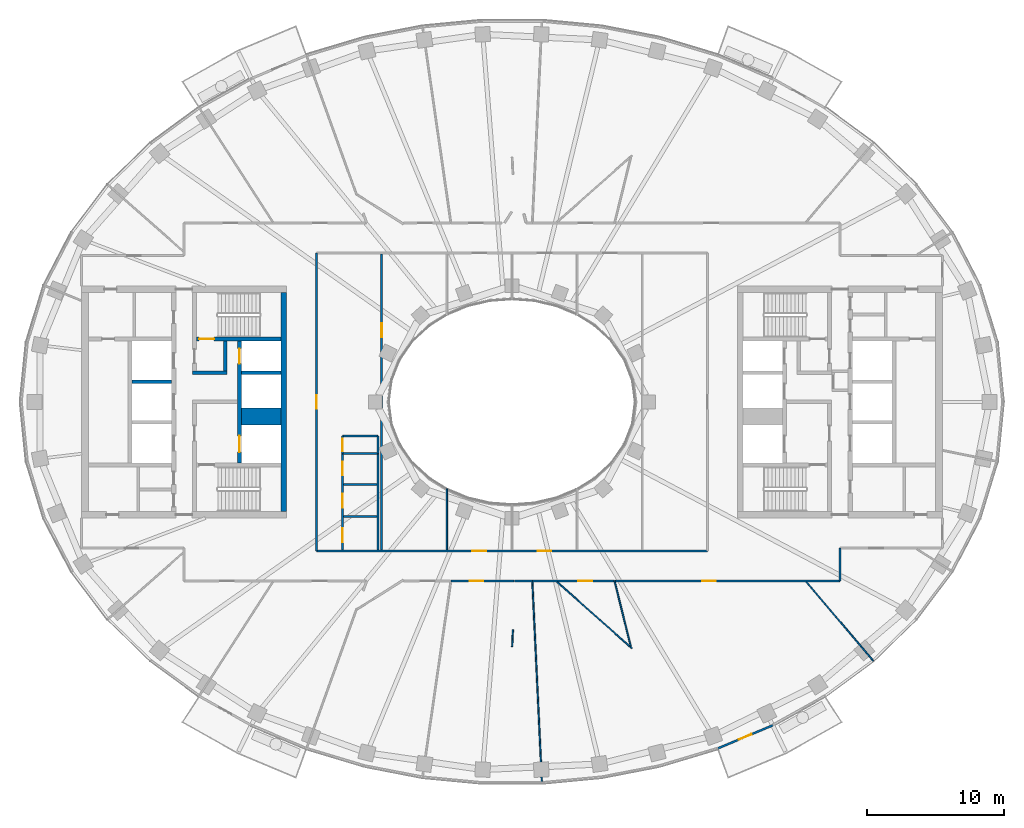
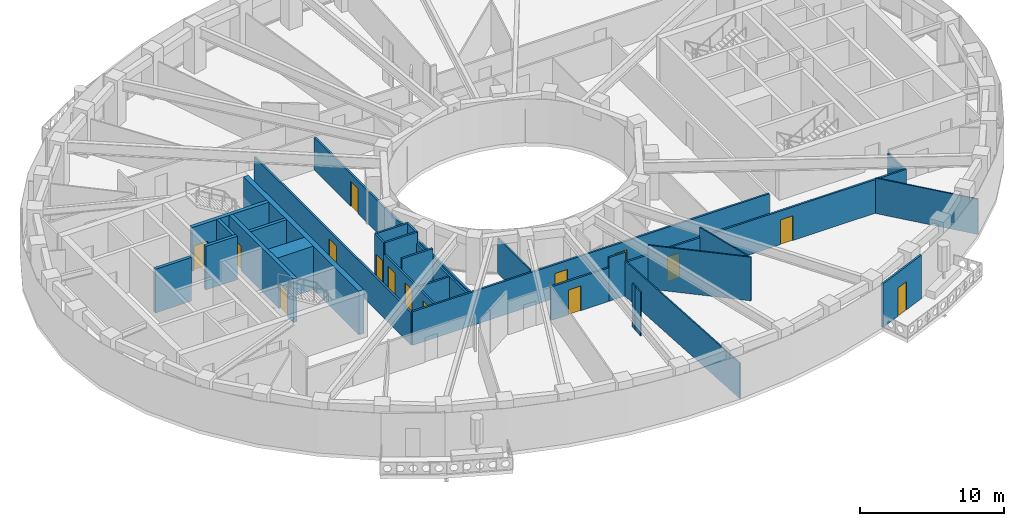
# One storey, part 4 of 15: 32 walls, 15 doors, 15 openings.
"""IFC4 building model written with IfcOpenShell, lengths in metres."""

from ifc_helpers import new_model, si_unit, direction, frame, frame_2d, origin, place, context, subcontext, project, spatial, rectangle, extrude, material, layer, layer_set, type_object, element, fill, save


model = new_model("IFC4")

# Units and contexts
model_context = context("Model", 3, precision=1e-05, world=origin(), true_north=direction((0.0, 1.0)))
body_context = subcontext(model_context, "Body", "Model", "MODEL_VIEW")
ifc_project = project(units=[si_unit("LENGTHUNIT", "METRE"), si_unit("AREAUNIT", "SQUARE_METRE"), si_unit("VOLUMEUNIT", "CUBIC_METRE"), si_unit("PLANEANGLEUNIT", "RADIAN"), si_unit("MASSUNIT", "GRAM", prefix="KILO")], contexts=[model_context])

# Site, building, storey
site_placement = place(None, origin())
site = spatial("IfcSite", under=ifc_project, at=site_placement, CompositionType="ELEMENT")
building_placement = place(site_placement, origin())
building = spatial("IfcBuilding", under=site, at=building_placement, Name="Noorbagh Ring Tower", CompositionType="ELEMENT")
storey_placement = place(building_placement, frame((0.0, 0.0, 241.5)))
storey = spatial("IfcBuildingStorey", under=building, at=storey_placement, Name="L50", CompositionType="ELEMENT", Elevation=241.5)

# Wall, opening, door
ifc_material_1 = material(Name="Gypsum board on steel studs", Category="steel")
ifc_layer_1 = layer(ifc_material_1, 0.14990234375)
ifc_layer_set_1 = layer_set([ifc_layer_1], Name="Gypsum board on steel studs")
wall_type_1 = type_object("IfcWallType", Name="COMPARTMENT PARTITION 150 EI 60", PredefinedType="PARTITIONING", material=ifc_layer_set_1)
wall_1_placement = place(storey_placement, frame((-12.39990234375, -3.760009765625, 0.0), z_axis=(0.0, 0.0, 1.0), x_axis=(0.0, 1.0, 0.0)))
wall_1 = element("IfcWall", 1, at=wall_1_placement, inside=storey, type_object=wall_type_1, Name="L50/wall/P22", PredefinedType="PARTITIONING", context=body_context, shape_type="SweptSolid", body=[
    extrude(rectangle(XDim=1.260009765625, YDim=0.14990234375, at=frame_2d((0.6298828125, 0.0))), origin(), (0.0, 0.0, 1.0), 3.699951171875),
])
opening_1_placement = place(wall_1_placement, frame((0.14990234375, 0.0, 0.0)))
opening_1 = element("IfcOpeningElement", 2, at=opening_1_placement, cuts=wall_1, Name="Opening D4", PredefinedType="OPENING", context=body_context, shape_type="SweptSolid", body=[
    extrude(rectangle(XDim=0.89990234375, YDim=2.10009765625, at=frame_2d((0.449951171875, 1.050048828125))), frame((0.0, 0.0849609375, 0.0), z_axis=(0.0, -1.0, 0.0), x_axis=(1.0, 0.0, 0.0)), (0.0, 0.0, 1.0), 0.169921875),
])
ifc_material_2 = material(Name="Timber, painted", Category="wood")
door_type_1 = type_object("IfcDoorType", Name="DOOR 900 X 2100 FD60", OperationType="SINGLE_SWING_LEFT", PredefinedType="DOOR", material=ifc_material_2)
door_1_placement = place(opening_1_placement, origin())
door_1 = element("IfcDoor", 3, at=door_1_placement, inside=storey, type_object=door_type_1, Name="L50-D05", OperationType="SINGLE_SWING_LEFT", OverallHeight=2.10009765625, OverallWidth=0.89990234375, PredefinedType="DOOR", context=body_context, shape_type="SweptSolid", body=[
    extrude(rectangle(XDim=0.89990234375, YDim=2.10009765625, at=frame_2d((0.449951171875, 1.050048828125))), frame((0.0, 0.02490234375, 0.0), z_axis=(0.0, -1.0, 0.0), x_axis=(1.0, 0.0, 0.0)), (0.0, 0.0, 1.0), 0.050048828125),
])
fill(opening_1, door_1)

# Walls
wall_2_placement = place(storey_placement, frame((-12.39990234375, -3.760009765625, 0.0), z_axis=(0.0, 0.0, 1.0), x_axis=(1.0, 0.0, 0.0)))
element("IfcWall", 4, at=wall_2_placement, inside=storey, type_object=wall_type_1, Name="L50/wall/P23", PredefinedType="PARTITIONING", context=body_context, shape_type="SweptSolid", body=[
    extrude(rectangle(XDim=2.599853515625, YDim=0.14990234375, at=frame_2d((1.2998046875, 0.0))), origin(), (0.0, 0.0, 1.0), 3.699951171875),
])
wall_3_placement = place(storey_placement, frame((-12.39990234375, -2.5, 0.0), z_axis=(0.0, 0.0, 1.0), x_axis=(1.0, 0.0, 0.0)))
element("IfcWall", 5, at=wall_3_placement, inside=storey, type_object=wall_type_1, Name="L50/wall/P24", PredefinedType="PARTITIONING", context=body_context, shape_type="SweptSolid", body=[
    extrude(rectangle(XDim=2.595947265625, YDim=0.14990234375, at=frame_2d((1.2978515625, 0.0))), origin(), (0.0, 0.0, 1.0), 3.699951171875),
])
wall_4_placement = place(storey_placement, frame((-9.800048828125, -3.760009765625, 0.0), z_axis=(0.0, 0.0, 1.0), x_axis=(0.0, 1.0, 0.0)))
element("IfcWall", 6, at=wall_4_placement, inside=storey, type_object=wall_type_1, Name="L50/wall/P32", PredefinedType="PARTITIONING", context=body_context, shape_type="SweptSolid", body=[
    extrude(rectangle(XDim=1.256103515625, YDim=0.14990234375, at=frame_2d((0.6279296875, 0.0))), origin(), (0.0, 0.0, 1.0), 3.699951171875),
])
ifc_material_3 = material(Name="Concrete C60/75", Category="concrete")
ifc_layer_2 = layer(ifc_material_3, 1.25)
ifc_layer_set_2 = layer_set([ifc_layer_2], Name="Concrete C60/75")
wall_type_2 = type_object("IfcWallType", Name="CORE-WALL-1250-C60-75-EI120", PredefinedType="SHEAR", material=ifc_layer_set_2)
wall_5_placement = place(storey_placement, frame((-16.89990234375, -1.074951171875, 0.0), z_axis=(0.0, 0.0, 1.0), x_axis=(-1.0, 0.0, 0.0)))
element("IfcWall", 7, at=wall_5_placement, inside=storey, type_object=wall_type_2, Name="Core wall W", PredefinedType="SHEAR", context=body_context, shape_type="SweptSolid", body=[
    extrude(rectangle(XDim=2.900146484375, YDim=1.25, at=frame_2d((1.4501953125, 0.0))), origin(), (0.0, 0.0, 1.0), 3.699951171875),
])
ifc_material_4 = material(Name="Concrete C60/75", Category="concrete")
ifc_layer_3 = layer(ifc_material_4, 0.25)
ifc_layer_set_3 = layer_set([ifc_layer_3], Name="Concrete C60/75")
wall_type_3 = type_object("IfcWallType", Name="CORE-WALL-250-C60-75-EI120", PredefinedType="SHEAR", material=ifc_layer_set_3)
for number, where, z_axis, x_axis, name in (
    (8, (-16.89990234375, 2.125, 0.0), (0.0, 0.0, 1.0), (-1.0, 0.0, 0.0), "Core wall W"),
    (9, (-24.89990234375, 1.47509765625, 0.0), (0.0, 0.0, 1.0), (-1.0, 0.0, 0.0), "Core wall W"),
):
    element("IfcWall", number, at=place(storey_placement, frame(where, z_axis=z_axis, x_axis=x_axis)), inside=storey, type_object=wall_type_3, Name=name, PredefinedType="SHEAR", context=body_context, shape_type="SweptSolid", body=[
        extrude(rectangle(XDim=2.900146484375, YDim=0.25, at=frame_2d((1.4501953125, 0.0))), origin(), (0.0, 0.0, 1.0), 3.699951171875),
    ])
ifc_material_5 = material(Name="Concrete C60/75", Category="concrete")
ifc_layer_4 = layer(ifc_material_5, 0.25)
ifc_layer_set_4 = layer_set([ifc_layer_4], Name="Concrete C60/75")
wall_type_4 = type_object("IfcWallType", Name="CORE-WALL-250-C60-75-EI240", PredefinedType="SHEAR", material=ifc_layer_set_4)
wall_6_placement = place(storey_placement, frame((-20.85009765625, 2.125, 0.0), z_axis=(0.0, 0.0, 1.0), x_axis=(-1.0, 0.0, 0.0)))
element("IfcWall", 10, at=wall_6_placement, inside=storey, type_object=wall_type_4, Name="Core wall W", PredefinedType="SHEAR", context=body_context, shape_type="SweptSolid", body=[
    extrude(rectangle(XDim=2.52978515625, YDim=0.25, at=frame_2d((1.264892578125, 0.0))), origin(), (0.0, 0.0, 1.0), 3.699951171875),
])
wall_7_placement = place(storey_placement, frame((-20.97509765625, 2.25, 0.0), z_axis=(0.0, 0.0, 1.0), x_axis=(0.0, 1.0, 0.0)))
element("IfcWall", 11, at=wall_7_placement, inside=storey, type_object=wall_type_4, Name="Core wall W", PredefinedType="SHEAR", context=body_context, shape_type="SweptSolid", body=[
    extrude(rectangle(XDim=2.199951171875, YDim=0.25, at=frame_2d((1.10009765625, 0.0))), origin(), (0.0, 0.0, 1.0), 3.699951171875),
])

# Wall, openings, doors
ifc_material_6 = material(Name="Concrete C60/75", Category="concrete")
ifc_layer_5 = layer(ifc_material_6, 0.300048828125)
ifc_layer_set_5 = layer_set([ifc_layer_5], Name="Concrete C60/75")
wall_type_5 = type_object("IfcWallType", Name="CORE-WALL-300-C60-75-EI120", PredefinedType="SHEAR", material=ifc_layer_set_5)
wall_8_placement = place(storey_placement, frame((-19.949951171875, -4.449951171875, 0.0), z_axis=(0.0, 0.0, 1.0), x_axis=(0.0, 1.0, 0.0)))
wall_8 = element("IfcWall", 12, at=wall_8_placement, inside=storey, type_object=wall_type_5, Name="Core wall W", PredefinedType="SHEAR", context=body_context, shape_type="SweptSolid", body=[
    extrude(rectangle(XDim=8.89990234375, YDim=0.300048828125, at=frame_2d((4.449951171875, 0.0))), origin(), (0.0, 0.0, 1.0), 3.699951171875),
])
opening_2_placement = place(wall_8_placement, frame((0.77490234375, 0.0, 0.0)))
opening_2 = element("IfcOpeningElement", 13, at=opening_2_placement, cuts=wall_8, Name="Opening L50-CW01", PredefinedType="OPENING", context=body_context, shape_type="SweptSolid", body=[
    extrude(rectangle(XDim=1.199951171875, YDim=2.10009765625, at=frame_2d((0.60009765625, 1.050048828125))), frame((0.0, 0.16015625, 0.0), z_axis=(0.0, -1.0, 0.0), x_axis=(1.0, 0.0, 0.0)), (0.0, 0.0, 1.0), 0.320068359375),
])
opening_3_placement = place(wall_8_placement, frame((7.25, 0.0, 0.0)))
opening_3 = element("IfcOpeningElement", 14, at=opening_3_placement, cuts=wall_8, Name="Opening L50-CW02", PredefinedType="OPENING", context=body_context, shape_type="SweptSolid", body=[
    extrude(rectangle(XDim=1.10009765625, YDim=2.10009765625, at=frame_2d((0.550048828125, 1.050048828125))), frame((0.0, 0.16015625, 0.0), z_axis=(0.0, -1.0, 0.0), x_axis=(1.0, 0.0, 0.0)), (0.0, 0.0, 1.0), 0.320068359375),
])
ifc_material_7 = material(Name="Steel door leaf", Category="steel")
door_type_2 = type_object("IfcDoorType", Name="CORE-DOOR-LD", OperationType="DOUBLE_DOOR_SLIDING", PredefinedType="DOOR", material=ifc_material_7)
door_2_placement = place(opening_3_placement, origin())
door_2 = element("IfcDoor", 15, at=door_2_placement, inside=storey, type_object=door_type_2, Name="Landing door HR1 L50-CW02", OperationType="DOUBLE_DOOR_SLIDING", OverallHeight=2.10009765625, OverallWidth=1.10009765625, PredefinedType="DOOR", context=body_context, shape_type="SweptSolid", body=[
    extrude(rectangle(XDim=1.10009765625, YDim=2.10009765625, at=frame_2d((0.550048828125, 1.050048828125))), frame((0.0, 0.02490234375, 0.0), z_axis=(0.0, -1.0, 0.0), x_axis=(1.0, 0.0, 0.0)), (0.0, 0.0, 1.0), 0.050048828125),
])
fill(opening_3, door_2)
ifc_material_8 = material(Name="Steel door leaf", Category="steel")
door_type_3 = type_object("IfcDoorType", Name="CORE-DOOR-LDW", OperationType="DOUBLE_DOOR_SLIDING", PredefinedType="DOOR", material=ifc_material_8)
door_3_placement = place(opening_2_placement, origin())
door_3 = element("IfcDoor", 16, at=door_3_placement, inside=storey, type_object=door_type_3, Name="Landing door FF1 L50-CW01", OperationType="DOUBLE_DOOR_SLIDING", OverallHeight=2.10009765625, OverallWidth=1.199951171875, PredefinedType="DOOR", context=body_context, shape_type="SweptSolid", body=[
    extrude(rectangle(XDim=1.199951171875, YDim=2.10009765625, at=frame_2d((0.60009765625, 1.050048828125))), frame((0.0, 0.02490234375, 0.0), z_axis=(0.0, -1.0, 0.0), x_axis=(1.0, 0.0, 0.0)), (0.0, 0.0, 1.0), 0.050048828125),
])
fill(opening_2, door_3)

# Wall, opening, door
ifc_material_9 = material(Name="Concrete C60/75", Category="concrete")
ifc_layer_6 = layer(ifc_material_9, 0.300048828125)
ifc_layer_set_6 = layer_set([ifc_layer_6], Name="Concrete C60/75")
wall_type_6 = type_object("IfcWallType", Name="CORE-WALL-300-C60-75-EI240", PredefinedType="SHEAR", material=ifc_layer_set_6)
wall_9_placement = place(storey_placement, frame((-16.89990234375, 4.60009765625, 0.0), z_axis=(0.0, 0.0, 1.0), x_axis=(-1.0, 0.0, 0.0)))
wall_9 = element("IfcWall", 17, at=wall_9_placement, inside=storey, type_object=wall_type_6, Name="Core wall W", PredefinedType="SHEAR", context=body_context, shape_type="SweptSolid", body=[
    extrude(rectangle(XDim=6.18017578125, YDim=0.300048828125, at=frame_2d((3.090087890625, 0.0))), origin(), (0.0, 0.0, 1.0), 3.699951171875),
])
opening_4_placement = place(wall_9_placement, frame((4.89990234375, 0.0, 0.0)))
opening_4 = element("IfcOpeningElement", 18, at=opening_4_placement, cuts=wall_9, Name="Opening L50-CW06", PredefinedType="OPENING", context=body_context, shape_type="SweptSolid", body=[
    extrude(rectangle(XDim=1.10009765625, YDim=2.10009765625, at=frame_2d((0.550048828125, 1.050048828125))), frame((0.0, 0.16015625, 0.0), z_axis=(0.0, -1.0, 0.0), x_axis=(1.0, 0.0, 0.0)), (0.0, 0.0, 1.0), 0.320068359375),
])
ifc_material_10 = material(Name="Steel door leaf", Category="steel")
door_type_4 = type_object("IfcDoorType", Name="CORE-DOOR-DSTAIR", OperationType="SINGLE_SWING_LEFT", PredefinedType="DOOR", material=ifc_material_10)
door_4_placement = place(opening_4_placement, origin())
door_4 = element("IfcDoor", 19, at=door_4_placement, inside=storey, type_object=door_type_4, Name="Stair door ST1 L50-CW06", OperationType="SINGLE_SWING_RIGHT", OverallHeight=2.10009765625, OverallWidth=1.10009765625, PredefinedType="DOOR", context=body_context, shape_type="SweptSolid", body=[
    extrude(rectangle(XDim=1.10009765625, YDim=2.10009765625, at=frame_2d((0.550048828125, 1.050048828125))), frame((0.0, 0.02490234375, 0.0), z_axis=(0.0, -1.0, 0.0), x_axis=(1.0, 0.0, 0.0)), (0.0, 0.0, 1.0), 0.050048828125),
])
fill(opening_4, door_4)

# Wall
ifc_material_11 = material(Name="Concrete C60/75", Category="concrete")
ifc_layer_7 = layer(ifc_material_11, 0.39990234375)
ifc_layer_set_7 = layer_set([ifc_layer_7], Name="Concrete C60/75")
wall_type_7 = type_object("IfcWallType", Name="CORE-WALL-400-C60-75-EI240", PredefinedType="SHEAR", material=ifc_layer_set_7)
wall_10_placement = place(storey_placement, frame((-16.699951171875, -8.0, 0.0), z_axis=(0.0, 0.0, 1.0), x_axis=(0.0, 1.0, 0.0)))
element("IfcWall", 20, at=wall_10_placement, inside=storey, type_object=wall_type_7, Name="Core wall W", PredefinedType="SHEAR", context=body_context, shape_type="SweptSolid", body=[
    extrude(rectangle(XDim=16.0, YDim=0.39990234375, at=frame_2d((8.0, 0.0))), origin(), (0.0, 0.0, 1.0), 3.699951171875),
])

# Wall, opening, door
ifc_material_12 = material(Name="Gypsum board on steel studs", Category="steel")
ifc_layer_8 = layer(ifc_material_12, 0.14990234375)
ifc_layer_set_8 = layer_set([ifc_layer_8], Name="Gypsum board on steel studs")
wall_type_8 = type_object("IfcWallType", Name="CORRIDOR PARTITION 150 EI 30", PredefinedType="PARTITIONING", material=ifc_layer_set_8)
wall_11_placement = place(storey_placement, frame((-14.300048828125, -10.89990234375, 0.0), z_axis=(0.0, 0.0, 1.0), x_axis=(0.0, 1.0, 0.0)))
wall_11 = element("IfcWall", 21, at=wall_11_placement, inside=storey, type_object=wall_type_8, Name="L50/wall/P16", PredefinedType="PARTITIONING", context=body_context, shape_type="SweptSolid", body=[
    extrude(rectangle(XDim=21.7998046875, YDim=0.14990234375, at=frame_2d((10.89990234375, 0.0))), origin(), (0.0, 0.0, 1.0), 2.75),
])
opening_5_placement = place(wall_11_placement, frame((10.39990234375, 0.0, 0.0)))
opening_5 = element("IfcOpeningElement", 22, at=opening_5_placement, cuts=wall_11, Name="Opening D1", PredefinedType="OPENING", context=body_context, shape_type="SweptSolid", body=[
    extrude(rectangle(XDim=1.0, YDim=2.10009765625, at=frame_2d((0.5, 1.050048828125))), frame((0.0, 0.0849609375, 0.0), z_axis=(0.0, -1.0, 0.0), x_axis=(1.0, 0.0, 0.0)), (0.0, 0.0, 1.0), 0.169921875),
])
ifc_material_13 = material(Name="Timber, painted", Category="wood")
door_type_5 = type_object("IfcDoorType", Name="DOOR 1000 X 2100 FD30", OperationType="SINGLE_SWING_LEFT", PredefinedType="DOOR", material=ifc_material_13)
door_5_placement = place(opening_5_placement, origin())
door_5 = element("IfcDoor", 23, at=door_5_placement, inside=storey, type_object=door_type_5, Name="L50-D01", OperationType="SINGLE_SWING_LEFT", OverallHeight=2.10009765625, OverallWidth=1.0, PredefinedType="DOOR", context=body_context, shape_type="SweptSolid", body=[
    extrude(rectangle(XDim=1.0, YDim=2.10009765625, at=frame_2d((0.5, 1.050048828125))), frame((0.0, 0.02490234375, 0.0), z_axis=(0.0, -1.0, 0.0), x_axis=(1.0, 0.0, 0.0)), (0.0, 0.0, 1.0), 0.050048828125),
])
fill(opening_5, door_5)

# Wall, openings, doors
wall_12_placement = place(storey_placement, frame((-14.300048828125, -10.89990234375, 0.0), z_axis=(0.0, 0.0, 1.0), x_axis=(1.0, 0.0, 0.0)))
wall_12 = element("IfcWall", 24, at=wall_12_placement, inside=storey, type_object=wall_type_8, Name="L50/wall/P17", PredefinedType="PARTITIONING", context=body_context, shape_type="SweptSolid", body=[
    extrude(rectangle(XDim=28.60009765625, YDim=0.14990234375, at=frame_2d((14.300048828125, 0.0))), origin(), (0.0, 0.0, 1.0), 2.85009765625),
])
opening_6_placement = place(wall_12_placement, frame((11.39990234375, 0.0, 0.0)))
opening_6 = element("IfcOpeningElement", 25, at=opening_6_placement, cuts=wall_12, Name="Opening D1", PredefinedType="OPENING", context=body_context, shape_type="SweptSolid", body=[
    extrude(rectangle(XDim=1.0, YDim=2.10009765625, at=frame_2d((0.5, 1.050048828125))), frame((0.0, 0.0849609375, 0.0), z_axis=(0.0, -1.0, 0.0), x_axis=(1.0, 0.0, 0.0)), (0.0, 0.0, 1.0), 0.169921875),
])
opening_7_placement = place(wall_12_placement, frame((16.1669921875, 0.0, 0.0)))
opening_7 = element("IfcOpeningElement", 26, at=opening_7_placement, cuts=wall_12, Name="Opening D1", PredefinedType="OPENING", context=body_context, shape_type="SweptSolid", body=[
    extrude(rectangle(XDim=1.0, YDim=2.10009765625, at=frame_2d((0.5, 1.050048828125))), frame((0.0, 0.0849609375, 0.0), z_axis=(0.0, -1.0, 0.0), x_axis=(1.0, 0.0, 0.0)), (0.0, 0.0, 1.0), 0.169921875),
])
door_6_placement = place(opening_6_placement, origin())
door_6 = element("IfcDoor", 27, at=door_6_placement, inside=storey, type_object=door_type_5, Name="L50-D25", OperationType="SINGLE_SWING_LEFT", OverallHeight=2.10009765625, OverallWidth=1.0, PredefinedType="DOOR", context=body_context, shape_type="SweptSolid", body=[
    extrude(rectangle(XDim=1.0, YDim=2.10009765625, at=frame_2d((0.5, 1.050048828125))), frame((0.0, 0.02490234375, 0.0), z_axis=(0.0, -1.0, 0.0), x_axis=(1.0, 0.0, 0.0)), (0.0, 0.0, 1.0), 0.050048828125),
])
fill(opening_6, door_6)
door_7_placement = place(opening_7_placement, origin())
door_7 = element("IfcDoor", 28, at=door_7_placement, inside=storey, type_object=door_type_5, Name="L50-D27", OperationType="SINGLE_SWING_LEFT", OverallHeight=2.10009765625, OverallWidth=1.0, PredefinedType="DOOR", context=body_context, shape_type="SweptSolid", body=[
    extrude(rectangle(XDim=1.0, YDim=2.10009765625, at=frame_2d((0.5, 1.050048828125))), frame((0.0, 0.02490234375, 0.0), z_axis=(0.0, -1.0, 0.0), x_axis=(1.0, 0.0, 0.0)), (0.0, 0.0, 1.0), 0.050048828125),
])
fill(opening_7, door_7)

wall_13_placement = place(storey_placement, frame((-12.39990234375, -10.824951171875, 0.0), z_axis=(0.0, 0.0, 1.0), x_axis=(0.0, 1.0, 0.0)))
wall_13 = element("IfcWall", 29, at=wall_13_placement, inside=storey, type_object=wall_type_8, Name="L50/wall/P19", PredefinedType="PARTITIONING", context=body_context, shape_type="SweptSolid", body=[
    extrude(rectangle(XDim=7.06494140625, YDim=0.14990234375, at=frame_2d((3.532470703125, 0.0))), origin(), (0.0, 0.0, 1.0), 2.75),
])
opening_8_placement = place(wall_13_placement, frame((0.574951171875, 0.0, 0.0)))
opening_8 = element("IfcOpeningElement", 30, at=opening_8_placement, cuts=wall_13, Name="Opening D3", PredefinedType="OPENING", context=body_context, shape_type="SweptSolid", body=[
    extrude(rectangle(XDim=1.0, YDim=2.10009765625, at=frame_2d((0.5, 1.050048828125))), frame((0.0, 0.0849609375, 0.0), z_axis=(0.0, -1.0, 0.0), x_axis=(1.0, 0.0, 0.0)), (0.0, 0.0, 1.0), 0.169921875),
])
opening_9_placement = place(wall_13_placement, frame((3.094970703125, 0.0, 0.0)))
opening_9 = element("IfcOpeningElement", 31, at=opening_9_placement, cuts=wall_13, Name="Opening D3", PredefinedType="OPENING", context=body_context, shape_type="SweptSolid", body=[
    extrude(rectangle(XDim=1.0, YDim=2.10009765625, at=frame_2d((0.5, 1.050048828125))), frame((0.0, 0.0849609375, 0.0), z_axis=(0.0, -1.0, 0.0), x_axis=(1.0, 0.0, 0.0)), (0.0, 0.0, 1.0), 0.169921875),
])
opening_10_placement = place(wall_13_placement, frame((5.447021484375, 0.0, 0.0)))
opening_10 = element("IfcOpeningElement", 32, at=opening_10_placement, cuts=wall_13, Name="Opening D3", PredefinedType="OPENING", context=body_context, shape_type="SweptSolid", body=[
    extrude(rectangle(XDim=1.0, YDim=2.10009765625, at=frame_2d((0.5, 1.050048828125))), frame((0.0, 0.0849609375, 0.0), z_axis=(0.0, -1.0, 0.0), x_axis=(1.0, 0.0, 0.0)), (0.0, 0.0, 1.0), 0.169921875),
])
ifc_material_14 = material(Name="Timber, painted", Category="wood")
door_type_6 = type_object("IfcDoorType", Name="DOOR 1000 X 2100 WC", OperationType="SINGLE_SWING_LEFT", PredefinedType="DOOR", material=ifc_material_14)
door_8_placement = place(opening_8_placement, origin())
door_8 = element("IfcDoor", 33, at=door_8_placement, inside=storey, type_object=door_type_6, Name="L50-D02", OperationType="SINGLE_SWING_RIGHT", OverallHeight=2.10009765625, OverallWidth=1.0, PredefinedType="DOOR", context=body_context, shape_type="SweptSolid", body=[
    extrude(rectangle(XDim=1.0, YDim=2.10009765625, at=frame_2d((0.5, 1.050048828125))), frame((0.0, 0.02490234375, 0.0), z_axis=(0.0, -1.0, 0.0), x_axis=(1.0, 0.0, 0.0)), (0.0, 0.0, 1.0), 0.050048828125),
])
fill(opening_8, door_8)
door_9_placement = place(opening_9_placement, origin())
door_9 = element("IfcDoor", 34, at=door_9_placement, inside=storey, type_object=door_type_6, Name="L50-D03", OperationType="SINGLE_SWING_LEFT", OverallHeight=2.10009765625, OverallWidth=1.0, PredefinedType="DOOR", context=body_context, shape_type="SweptSolid", body=[
    extrude(rectangle(XDim=1.0, YDim=2.10009765625, at=frame_2d((0.5, 1.050048828125))), frame((0.0, 0.02490234375, 0.0), z_axis=(0.0, -1.0, 0.0), x_axis=(1.0, 0.0, 0.0)), (0.0, 0.0, 1.0), 0.050048828125),
])
fill(opening_9, door_9)
door_10_placement = place(opening_10_placement, origin())
door_10 = element("IfcDoor", 35, at=door_10_placement, inside=storey, type_object=door_type_6, Name="L50-D04", OperationType="SINGLE_SWING_RIGHT", OverallHeight=2.10009765625, OverallWidth=1.0, PredefinedType="DOOR", context=body_context, shape_type="SweptSolid", body=[
    extrude(rectangle(XDim=1.0, YDim=2.10009765625, at=frame_2d((0.5, 1.050048828125))), frame((0.0, 0.02490234375, 0.0), z_axis=(0.0, -1.0, 0.0), x_axis=(1.0, 0.0, 0.0)), (0.0, 0.0, 1.0), 0.050048828125),
])
fill(opening_10, door_10)

# Walls
wall_14_placement = place(storey_placement, frame((-12.324951171875, -8.3798828125, 0.0), z_axis=(0.0, 0.0, 1.0), x_axis=(1.0, 0.0, 0.0)))
element("IfcWall", 36, at=wall_14_placement, inside=storey, type_object=wall_type_8, Name="L50/wall/P20", PredefinedType="PARTITIONING", context=body_context, shape_type="SweptSolid", body=[
    extrude(rectangle(XDim=2.449951171875, YDim=0.14990234375, at=frame_2d((1.22509765625, 0.0))), origin(), (0.0, 0.0, 1.0), 2.75),
])
wall_15_placement = place(storey_placement, frame((-12.324951171875, -6.028076171875, 0.0), z_axis=(0.0, 0.0, 1.0), x_axis=(1.0, 0.0, 0.0)))
element("IfcWall", 37, at=wall_15_placement, inside=storey, type_object=wall_type_8, Name="L50/wall/P21", PredefinedType="PARTITIONING", context=body_context, shape_type="SweptSolid", body=[
    extrude(rectangle(XDim=2.449951171875, YDim=0.14990234375, at=frame_2d((1.22509765625, 0.0))), origin(), (0.0, 0.0, 1.0), 3.699951171875),
])
wall_16_placement = place(storey_placement, frame((-9.800048828125, -10.824951171875, 0.0), z_axis=(0.0, 0.0, 1.0), x_axis=(0.0, 1.0, 0.0)))
element("IfcWall", 38, at=wall_16_placement, inside=storey, type_object=wall_type_8, Name="L50/wall/P31", PredefinedType="PARTITIONING", context=body_context, shape_type="SweptSolid", body=[
    extrude(rectangle(XDim=7.06494140625, YDim=0.14990234375, at=frame_2d((3.532470703125, 0.0))), origin(), (0.0, 0.0, 1.0), 2.75),
])

# Wall, opening, door
wall_17_placement = place(storey_placement, frame((-9.532958984375, -10.824951171875, 0.0), z_axis=(0.0, 0.0, 1.0), x_axis=(0.0, 1.0, 0.0)))
wall_17 = element("IfcWall", 39, at=wall_17_placement, inside=storey, type_object=wall_type_8, Name="L50/wall/P33", PredefinedType="PARTITIONING", context=body_context, shape_type="SweptSolid", body=[
    extrude(rectangle(XDim=21.64990234375, YDim=0.14990234375, at=frame_2d((10.824951171875, 0.0))), origin(), (0.0, 0.0, 1.0), 2.75),
])
opening_11_placement = place(wall_17_placement, frame((15.574951171875, 0.0, 0.0)))
opening_11 = element("IfcOpeningElement", 40, at=opening_11_placement, cuts=wall_17, Name="Opening D1", PredefinedType="OPENING", context=body_context, shape_type="SweptSolid", body=[
    extrude(rectangle(XDim=1.0, YDim=2.10009765625, at=frame_2d((0.5, 1.050048828125))), frame((0.0, 0.0849609375, 0.0), z_axis=(0.0, -1.0, 0.0), x_axis=(1.0, 0.0, 0.0)), (0.0, 0.0, 1.0), 0.169921875),
])
door_11_placement = place(opening_11_placement, origin())
door_11 = element("IfcDoor", 41, at=door_11_placement, inside=storey, type_object=door_type_5, Name="L50-D24", OperationType="SINGLE_SWING_RIGHT", OverallHeight=2.10009765625, OverallWidth=1.0, PredefinedType="DOOR", context=body_context, shape_type="SweptSolid", body=[
    extrude(rectangle(XDim=1.0, YDim=2.10009765625, at=frame_2d((0.5, 1.050048828125))), frame((0.0, 0.02490234375, 0.0), z_axis=(0.0, -1.0, 0.0), x_axis=(1.0, 0.0, 0.0)), (0.0, 0.0, 1.0), 0.050048828125),
])
fill(opening_11, door_11)

wall_18_placement = place(storey_placement, frame((-4.472900390625, -13.10009765625, 0.0), z_axis=(0.0, 0.0, 1.0), x_axis=(1.0, 0.0, 0.0)))
wall_18 = element("IfcWall", 42, at=wall_18_placement, inside=storey, type_object=wall_type_8, Name="L50/wall/P40", PredefinedType="PARTITIONING", context=body_context, shape_type="SweptSolid", body=[
    extrude(rectangle(XDim=4.636962890625, YDim=0.14990234375, at=frame_2d((2.318359375, 0.0))), origin(), (0.0, 0.0, 1.0), 2.85009765625),
])
opening_12_placement = place(wall_18_placement, frame((1.3798828125, 0.0, 0.0)))
opening_12 = element("IfcOpeningElement", 43, at=opening_12_placement, cuts=wall_18, Name="Opening D1", PredefinedType="OPENING", context=body_context, shape_type="SweptSolid", body=[
    extrude(rectangle(XDim=1.0, YDim=2.10009765625, at=frame_2d((0.5, 1.050048828125))), frame((0.0, 0.0849609375, 0.0), z_axis=(0.0, -1.0, 0.0), x_axis=(1.0, 0.0, 0.0)), (0.0, 0.0, 1.0), 0.169921875),
])
door_12_placement = place(opening_12_placement, origin())
door_12 = element("IfcDoor", 44, at=door_12_placement, inside=storey, type_object=door_type_5, Name="L50-D14", OperationType="SINGLE_SWING_RIGHT", OverallHeight=2.10009765625, OverallWidth=1.0, PredefinedType="DOOR", context=body_context, shape_type="SweptSolid", body=[
    extrude(rectangle(XDim=1.0, YDim=2.10009765625, at=frame_2d((0.5, 1.050048828125))), frame((0.0, 0.02490234375, 0.0), z_axis=(0.0, -1.0, 0.0), x_axis=(1.0, 0.0, 0.0)), (0.0, 0.0, 1.0), 0.050048828125),
])
fill(opening_12, door_12)

# Wall
wall_19_placement = place(storey_placement, frame((0.16796875, -13.10009765625, 0.0), z_axis=(0.0, 0.0, 1.0), x_axis=(1.0, 0.0, 0.0)))
element("IfcWall", 45, at=wall_19_placement, inside=storey, type_object=wall_type_8, Name="L50/wall/P49", PredefinedType="PARTITIONING", context=body_context, shape_type="SweptSolid", body=[
    extrude(rectangle(XDim=1.318115234375, YDim=0.14990234375, at=frame_2d((0.6591796875, 0.0))), origin(), (0.0, 0.0, 1.0), 3.699951171875),
])

# Wall, opening, door
wall_20_placement = place(storey_placement, frame((1.506103515625, -13.10009765625, 0.0), z_axis=(0.0, 0.0, 1.0), x_axis=(1.0, 0.0, 0.0)))
wall_20 = element("IfcWall", 46, at=wall_20_placement, inside=storey, type_object=wall_type_8, Name="L50/wall/P54", PredefinedType="PARTITIONING", context=body_context, shape_type="SweptSolid", body=[
    extrude(rectangle(XDim=6.0009765625, YDim=0.14990234375, at=frame_2d((3.00048828125, 0.0))), origin(), (0.0, 0.0, 1.0), 2.85009765625),
])
opening_13_placement = place(wall_20_placement, frame((3.35595703125, 0.0, 0.0)))
opening_13 = element("IfcOpeningElement", 47, at=opening_13_placement, cuts=wall_20, Name="Opening D1", PredefinedType="OPENING", context=body_context, shape_type="SweptSolid", body=[
    extrude(rectangle(XDim=1.0, YDim=2.10009765625, at=frame_2d((0.5, 1.050048828125))), frame((0.0, 0.0849609375, 0.0), z_axis=(0.0, -1.0, 0.0), x_axis=(1.0, 0.0, 0.0)), (0.0, 0.0, 1.0), 0.169921875),
])
door_13_placement = place(opening_13_placement, origin())
door_13 = element("IfcDoor", 48, at=door_13_placement, inside=storey, type_object=door_type_5, Name="L50-D16", OperationType="SINGLE_SWING_RIGHT", OverallHeight=2.10009765625, OverallWidth=1.0, PredefinedType="DOOR", context=body_context, shape_type="SweptSolid", body=[
    extrude(rectangle(XDim=1.0, YDim=2.10009765625, at=frame_2d((0.5, 1.050048828125))), frame((0.0, 0.02490234375, 0.0), z_axis=(0.0, -1.0, 0.0), x_axis=(1.0, 0.0, 0.0)), (0.0, 0.0, 1.0), 0.050048828125),
])
fill(opening_13, door_13)

wall_21_placement = place(storey_placement, frame((7.52392578125, -13.10009765625, 0.0), z_axis=(0.0, 0.0, 1.0), x_axis=(1.0, 0.0, 0.0)))
wall_21 = element("IfcWall", 49, at=wall_21_placement, inside=storey, type_object=wall_type_8, Name="L50/wall/P62", PredefinedType="PARTITIONING", context=body_context, shape_type="SweptSolid", body=[
    extrude(rectangle(XDim=16.47607421875, YDim=0.14990234375, at=frame_2d((8.238037109375, 0.0))), origin(), (0.0, 0.0, 1.0), 2.85009765625),
])
opening_14_placement = place(wall_21_placement, frame((6.383056640625, 0.0, 0.0)))
opening_14 = element("IfcOpeningElement", 50, at=opening_14_placement, cuts=wall_21, Name="Opening D1", PredefinedType="OPENING", context=body_context, shape_type="SweptSolid", body=[
    extrude(rectangle(XDim=1.0, YDim=2.10009765625, at=frame_2d((0.5, 1.050048828125))), frame((0.0, 0.0849609375, 0.0), z_axis=(0.0, -1.0, 0.0), x_axis=(1.0, 0.0, 0.0)), (0.0, 0.0, 1.0), 0.169921875),
])
door_14_placement = place(opening_14_placement, origin())
door_14 = element("IfcDoor", 51, at=door_14_placement, inside=storey, type_object=door_type_5, Name="L50-D18", OperationType="SINGLE_SWING_RIGHT", OverallHeight=2.10009765625, OverallWidth=1.0, PredefinedType="DOOR", context=body_context, shape_type="SweptSolid", body=[
    extrude(rectangle(XDim=1.0, YDim=2.10009765625, at=frame_2d((0.5, 1.050048828125))), frame((0.0, 0.02490234375, 0.0), z_axis=(0.0, -1.0, 0.0), x_axis=(1.0, 0.0, 0.0)), (0.0, 0.0, 1.0), 0.050048828125),
])
fill(opening_14, door_14)

# Wall
wall_22_placement = place(storey_placement, frame((24.0, -13.10009765625, 0.0), z_axis=(0.0, 0.0, 1.0), x_axis=(0.0, 1.0, 0.0)))
element("IfcWall", 52, at=wall_22_placement, inside=storey, type_object=wall_type_8, Name="L50/wall/P68", PredefinedType="PARTITIONING", context=body_context, shape_type="SweptSolid", body=[
    extrude(rectangle(XDim=2.400146484375, YDim=0.14990234375, at=frame_2d((1.2001953125, 0.0))), origin(), (0.0, 0.0, 1.0), 2.75),
])

# Wall, opening, door
ifc_material_15 = material(Name="Insulated aluminium clad panel", Category="aluminium")
ifc_layer_9 = layer(ifc_material_15, 0.14990234375)
ifc_layer_set_9 = layer_set([ifc_layer_9], Name="Insulated aluminium clad panel")
wall_type_9 = type_object("IfcWallType", Name="ENV-WALL-DOOR", PredefinedType="STANDARD", material=ifc_layer_set_9)
wall_23_placement = place(storey_placement, frame((15.017822265625, -25.368896484375, 0.0), z_axis=(0.0, 0.0, 1.0), x_axis=(0.921816985161, 0.387625393736, 0.0)))
wall_23 = element("IfcWall", 53, at=wall_23_placement, inside=storey, type_object=wall_type_9, Name="Balcony door wall chord 39", PredefinedType="STANDARD", context=body_context, shape_type="SweptSolid", body=[
    extrude(rectangle(XDim=4.42578125, YDim=0.14990234375, at=frame_2d((2.212890625, 0.0))), origin(), (0.0, 0.0, 1.0), 3.699951171875),
])
opening_15_placement = place(wall_23_placement, frame((1.712890625, 0.0, 0.0)))
opening_15 = element("IfcOpeningElement", 54, at=opening_15_placement, cuts=wall_23, Name="Opening D-BL", PredefinedType="OPENING", context=body_context, shape_type="SweptSolid", body=[
    extrude(rectangle(XDim=1.0, YDim=2.39990234375, at=frame_2d((0.5, 1.199951171875))), frame((0.0, 0.0849609375, 0.0), z_axis=(0.0, -1.0, 0.0), x_axis=(1.0, 0.0, 0.0)), (0.0, 0.0, 1.0), 0.169921875),
])
ifc_material_16 = material(Name="Aluminium and glass", Category="aluminium")
door_type_7 = type_object("IfcDoorType", Name="ENV-DOOR-BALCONY", OperationType="SINGLE_SWING_LEFT", PredefinedType="DOOR", material=ifc_material_16)
door_15_placement = place(opening_15_placement, origin())
door_15 = element("IfcDoor", 55, at=door_15_placement, inside=storey, type_object=door_type_7, Name="Balcony door chord 39", OperationType="SINGLE_SWING_LEFT", OverallHeight=2.39990234375, OverallWidth=1.0, PredefinedType="DOOR", context=body_context, shape_type="SweptSolid", body=[
    extrude(rectangle(XDim=1.0, YDim=2.39990234375, at=frame_2d((0.5, 1.199951171875))), frame((0.0, 0.02490234375, 0.0), z_axis=(0.0, -1.0, 0.0), x_axis=(1.0, 0.0, 0.0)), (0.0, 0.0, 1.0), 0.050048828125),
])
fill(opening_15, door_15)

# Walls
ifc_material_17 = material(Name="Gypsum board on steel studs", Category="steel")
ifc_layer_10 = layer(ifc_material_17, 0.10009765625)
ifc_layer_set_10 = layer_set([ifc_layer_10], Name="Gypsum board on steel studs")
wall_type_10 = type_object("IfcWallType", Name="PARTITION 100 GYPSUM", PredefinedType="PARTITIONING", material=ifc_layer_set_10)
wall_24_placement = place(storey_placement, frame((-4.76708984375, -10.824951171875, 0.0), z_axis=(0.0, 0.0, 1.0), x_axis=(0.0, 1.0, 0.0)))
element("IfcWall", 56, at=wall_24_placement, inside=storey, type_object=wall_type_10, Name="L50/wall/P38", PredefinedType="PARTITIONING", context=body_context, shape_type="SweptSolid", body=[
    extrude(rectangle(XDim=4.4619140625, YDim=0.10009765625, at=frame_2d((2.23095703125, 0.0))), origin(), (0.0, 0.0, 1.0), 3.0),
])
wall_25_placement = place(storey_placement, frame((0.010986328125, -17.89697265625, 0.0), z_axis=(0.0, 0.0, 1.0), x_axis=(0.046977779105, 0.998895934655, 0.0)))
element("IfcWall", 57, at=wall_25_placement, inside=storey, type_object=wall_type_10, Name="L50/wall/P45", PredefinedType="PARTITIONING", context=body_context, shape_type="SweptSolid", body=[
    extrude(rectangle(XDim=0.7900390625, YDim=0.10009765625, at=frame_2d((0.39501953125, 0.0))), origin(), (0.0, 0.0, 1.0), 3.699951171875),
])
wall_26_placement = place(storey_placement, frame((0.049072265625, -17.0810546875, 0.0), z_axis=(0.0, 0.0, 1.0), x_axis=(0.047373011006, 0.998877268651, 0.0)))
element("IfcWall", 58, at=wall_26_placement, inside=storey, type_object=wall_type_10, Name="L50/wall/P47", PredefinedType="PARTITIONING", context=body_context, shape_type="SweptSolid", body=[
    extrude(rectangle(XDim=0.422607421875, YDim=0.10009765625, at=frame_2d((0.21142578125, 0.0))), origin(), (0.0, 0.0, 1.0), 3.699951171875),
])
wall_27_placement = place(storey_placement, frame((1.486083984375, -13.10400390625, 0.0), z_axis=(0.0, 0.0, 1.0), x_axis=(0.047589427933, -0.998866981309, 0.0)))
element("IfcWall", 59, at=wall_27_placement, inside=storey, type_object=wall_type_10, Name="L50/wall/P52", PredefinedType="PARTITIONING", context=body_context, shape_type="SweptSolid", body=[
    extrude(rectangle(XDim=14.810791015625, YDim=0.10009765625, at=frame_2d((7.4052734375, 0.0))), origin(), (0.0, 0.0, 1.0), 3.0),
])
wall_28_placement = place(storey_placement, frame((3.300048828125, -13.177978515625, 0.0), z_axis=(0.0, 0.0, 1.0), x_axis=(0.749078819432, -0.662480884462, 0.0)))
element("IfcWall", 60, at=wall_28_placement, inside=storey, type_object=wall_type_10, Name="L50/wall/P56", PredefinedType="PARTITIONING", context=body_context, shape_type="SweptSolid", body=[
    extrude(rectangle(XDim=7.307373046875, YDim=0.10009765625, at=frame_2d((3.65380859375, 0.0))), origin(), (0.0, 0.0, 1.0), 3.699951171875),
])
wall_29_placement = place(storey_placement, frame((7.507080078125, -13.10009765625, 0.0), z_axis=(0.0, 0.0, 1.0), x_axis=(0.239848980266, -0.970810211455, 0.0)))
element("IfcWall", 61, at=wall_29_placement, inside=storey, type_object=wall_type_10, Name="L50/wall/P60", PredefinedType="PARTITIONING", context=body_context, shape_type="SweptSolid", body=[
    extrude(rectangle(XDim=4.91943359375, YDim=0.10009765625, at=frame_2d((2.459716796875, 0.0))), origin(), (0.0, 0.0, 1.0), 3.699951171875),
])
wall_30_placement = place(storey_placement, frame((21.5419921875, -13.175048828125, 0.0), z_axis=(0.0, 0.0, 1.0), x_axis=(0.646374865928, -0.763020008058, 0.0)))
element("IfcWall", 62, at=wall_30_placement, inside=storey, type_object=wall_type_10, Name="L50/wall/P66", PredefinedType="PARTITIONING", context=body_context, shape_type="SweptSolid", body=[
    extrude(rectangle(XDim=7.56201171875, YDim=0.10009765625, at=frame_2d((3.781005859375, 0.0))), origin(), (0.0, 0.0, 1.0), 3.0),
])

save(model, "model.ifc")
